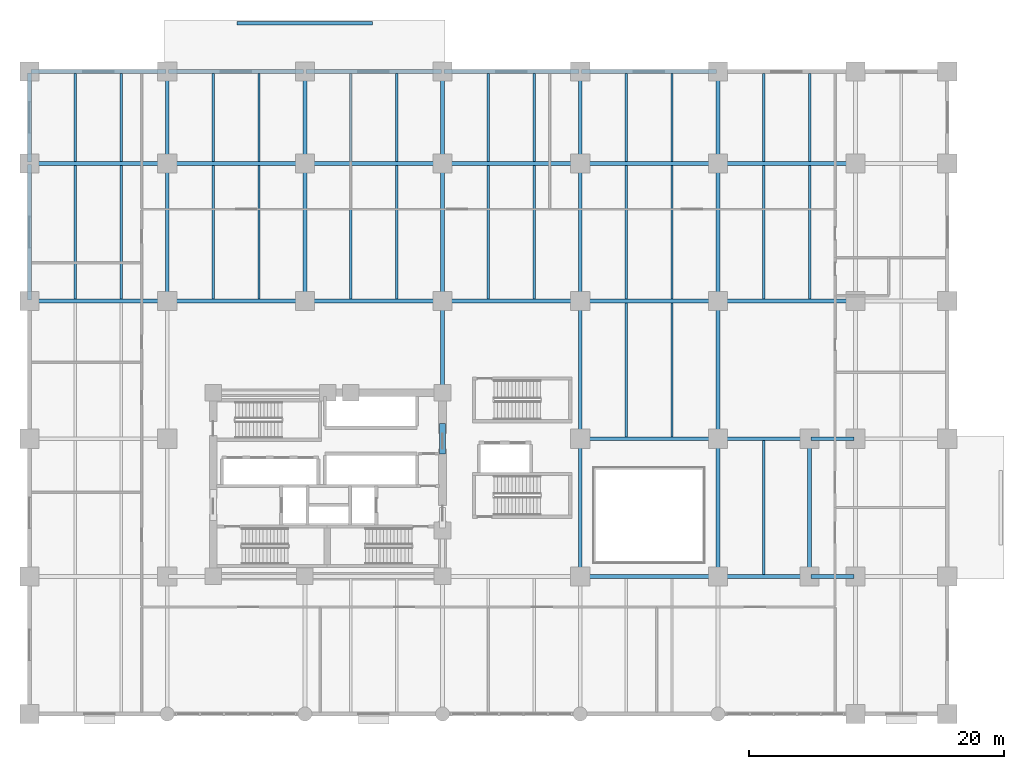
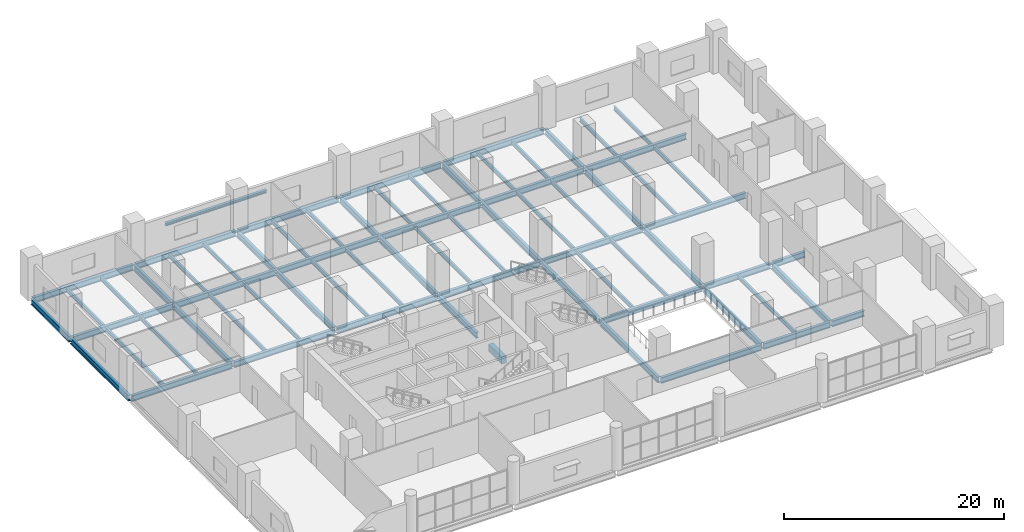
# One storey, part 8 of 16: 70 beams.
"""IFC4 building model written with IfcOpenShell, lengths in metres."""

from ifc_helpers import new_model, si_unit, direction, frame, origin, origin_2d, place, context, subcontext, project, spatial, rectangle, i_section, extrude, material, material_profile, profile_set, type_object, element, save


model = new_model("IFC4")

# Units and contexts
model_context = context("Model", 3, precision=1e-05, world=origin(), true_north=direction((0.0, 1.0)))
body_context = subcontext(model_context, "Body", "Model", "MODEL_VIEW")
ifc_project = project(units=[si_unit("LENGTHUNIT", "METRE"), si_unit("AREAUNIT", "SQUARE_METRE"), si_unit("VOLUMEUNIT", "CUBIC_METRE"), si_unit("PLANEANGLEUNIT", "RADIAN"), si_unit("MASSUNIT", "GRAM", prefix="KILO")], contexts=[model_context])

# Site, building, storey
site_placement = place(None, origin())
site = spatial("IfcSite", under=ifc_project, at=site_placement, CompositionType="ELEMENT")
building_placement = place(site_placement, origin())
building = spatial("IfcBuilding", under=site, at=building_placement, Name="Solnavia Interchange Tower", CompositionType="ELEMENT")
storey_placement = place(building_placement, frame((0.0, 0.0, 5.39990234375)))
storey = spatial("IfcBuildingStorey", under=building, at=storey_placement, Name="L01", CompositionType="ELEMENT", Elevation=5.39990234375)

# Beams
ifc_material_1 = material(Name="Concrete C50/60", Category="concrete")
ifc_material_profile_1 = material_profile(ifc_material_1, rectangle(XDim=0.5, YDim=0.800048828125, at=origin_2d()), Name="RC 500x800")
ifc_profile_set_1 = profile_set([ifc_material_profile_1], Name="Concrete C50/60")
beam_type_1 = type_object("IfcBeamType", Name="Beam-Coupling-RC500x800", PredefinedType="LINTEL", material=ifc_profile_set_1)
beam_1_placement = place(storey_placement, frame((32.39990234375, 20.39990234375, -0.39990234375), z_axis=(0.0, 1.0, 0.0), x_axis=(-1.0, 0.0, 0.0)))
element("IfcBeam", 1, at=beam_1_placement, inside=storey, type_object=beam_type_1, Name="CPB-L01-E2 Core coupling lintel beam", PredefinedType="LINTEL", context=body_context, shape_type="SweptSolid", body=[
    extrude(rectangle(XDim=0.5, YDim=0.800048828125, at=origin_2d()), origin(), (0.0, 0.0, 1.0), 2.400146484375),
])
ifc_material_2 = material(Name="Steel S460", Category="steel")
ifc_material_profile_2 = material_profile(ifc_material_2, i_section(OverallWidth=0.300048828125, OverallDepth=0.64990234375, WebThickness=0.01611328125, FlangeThickness=0.031005859375, FilletRadius=0.027099609375, at=origin_2d()), Name="HEB 650")
ifc_profile_set_2 = profile_set([ifc_material_profile_2], Name="Steel S460")
beam_type_2 = type_object("IfcBeamType", Name="Beam-Girder-HEB650", PredefinedType="BEAM", material=ifc_profile_set_2)
beam_2_placement = place(storey_placement, frame((43.300048828125, 10.800048828125, -0.625), z_axis=(1.0, 0.0, 0.0), x_axis=(0.0, 1.0, 0.0)))
element("IfcBeam", 2, at=beam_2_placement, inside=storey, type_object=beam_type_2, Name="GRD-L01-13 Podium primary girder", PredefinedType="BEAM", context=body_context, shape_type="SweptSolid", body=[
    extrude(i_section(OverallWidth=0.300048828125, OverallDepth=0.64990234375, WebThickness=0.01611328125, FlangeThickness=0.031005859375, FilletRadius=0.027099609375, at=origin_2d()), origin(), (0.0, 0.0, 1.0), 10.599853515625),
])
beam_3_placement = place(storey_placement, frame((54.10009765625, 10.800048828125, -0.625), z_axis=(1.0, 0.0, 0.0), x_axis=(0.0, 1.0, 0.0)))
element("IfcBeam", 3, at=beam_3_placement, inside=storey, type_object=beam_type_2, Name="GRD-L01-14 Podium primary girder", PredefinedType="BEAM", context=body_context, shape_type="SweptSolid", body=[
    extrude(i_section(OverallWidth=0.300048828125, OverallDepth=0.64990234375, WebThickness=0.01611328125, FlangeThickness=0.031005859375, FilletRadius=0.027099609375, at=origin_2d()), origin(), (0.0, 0.0, 1.0), 7.0),
])
beam_4_placement = place(storey_placement, frame((61.300048828125, 10.800048828125, -0.625), z_axis=(1.0, 0.0, 0.0), x_axis=(0.0, 1.0, 0.0)))
element("IfcBeam", 4, at=beam_4_placement, inside=storey, type_object=beam_type_2, Name="GRD-L01-15 Podium primary girder", PredefinedType="BEAM", context=body_context, shape_type="SweptSolid", body=[
    extrude(i_section(OverallWidth=0.300048828125, OverallDepth=0.64990234375, WebThickness=0.01611328125, FlangeThickness=0.031005859375, FilletRadius=0.027099609375, at=origin_2d()), origin(), (0.0, 0.0, 1.0), 3.39990234375),
])
beam_5_placement = place(storey_placement, frame((43.300048828125, 21.60009765625, -0.625), z_axis=(1.0, 0.0, 0.0), x_axis=(0.0, 1.0, 0.0)))
element("IfcBeam", 5, at=beam_5_placement, inside=storey, type_object=beam_type_2, Name="GRD-L01-18 Podium primary girder", PredefinedType="BEAM", context=body_context, shape_type="SweptSolid", body=[
    extrude(i_section(OverallWidth=0.300048828125, OverallDepth=0.64990234375, WebThickness=0.01611328125, FlangeThickness=0.031005859375, FilletRadius=0.027099609375, at=origin_2d()), origin(), (0.0, 0.0, 1.0), 10.599853515625),
])
beam_6_placement = place(storey_placement, frame((54.10009765625, 21.60009765625, -0.625), z_axis=(1.0, 0.0, 0.0), x_axis=(0.0, 1.0, 0.0)))
element("IfcBeam", 6, at=beam_6_placement, inside=storey, type_object=beam_type_2, Name="GRD-L01-19 Podium primary girder", PredefinedType="BEAM", context=body_context, shape_type="SweptSolid", body=[
    extrude(i_section(OverallWidth=0.300048828125, OverallDepth=0.64990234375, WebThickness=0.01611328125, FlangeThickness=0.031005859375, FilletRadius=0.027099609375, at=origin_2d()), origin(), (0.0, 0.0, 1.0), 7.0),
])
beam_7_placement = place(storey_placement, frame((61.300048828125, 21.60009765625, -0.625), z_axis=(1.0, 0.0, 0.0), x_axis=(0.0, 1.0, 0.0)))
element("IfcBeam", 7, at=beam_7_placement, inside=storey, type_object=beam_type_2, Name="GRD-L01-20 Podium primary girder", PredefinedType="BEAM", context=body_context, shape_type="SweptSolid", body=[
    extrude(i_section(OverallWidth=0.300048828125, OverallDepth=0.64990234375, WebThickness=0.01611328125, FlangeThickness=0.031005859375, FilletRadius=0.027099609375, at=origin_2d()), origin(), (0.0, 0.0, 1.0), 3.39990234375),
])
beam_8_placement = place(storey_placement, frame((0.10009765625, 32.39990234375, -0.625), z_axis=(1.0, 0.0, 0.0), x_axis=(0.0, 1.0, 0.0)))
element("IfcBeam", 8, at=beam_8_placement, inside=storey, type_object=beam_type_2, Name="GRD-L01-23 Podium primary girder", PredefinedType="BEAM", context=body_context, shape_type="SweptSolid", body=[
    extrude(i_section(OverallWidth=0.300048828125, OverallDepth=0.64990234375, WebThickness=0.01611328125, FlangeThickness=0.031005859375, FilletRadius=0.027099609375, at=origin_2d()), origin(), (0.0, 0.0, 1.0), 10.599853515625),
])
for number, where, z_axis, x_axis, name in (
    (9, (10.89990234375, 32.39990234375, -0.625), (1.0, 0.0, 0.0), (0.0, 1.0, 0.0), "GRD-L01-24 Podium primary girder"),
    (10, (21.699951171875, 32.39990234375, -0.625), (1.0, 0.0, 0.0), (0.0, 1.0, 0.0), "GRD-L01-25 Podium primary girder"),
    (11, (32.5, 32.39990234375, -0.625), (1.0, 0.0, 0.0), (0.0, 1.0, 0.0), "GRD-L01-26 Podium primary girder"),
):
    element("IfcBeam", number, at=place(storey_placement, frame(where, z_axis=z_axis, x_axis=x_axis)), inside=storey, type_object=beam_type_2, Name=name, PredefinedType="BEAM", context=body_context, shape_type="SweptSolid", body=[
        extrude(i_section(OverallWidth=0.300048828125, OverallDepth=0.64990234375, WebThickness=0.01611328125, FlangeThickness=0.031005859375, FilletRadius=0.027099609375, at=origin_2d()), origin(), (0.0, 0.0, 1.0), 10.60009765625),
    ])
for number, where, z_axis, x_axis, name in (
    (12, (43.300048828125, 32.39990234375, -0.625), (1.0, 0.0, 0.0), (0.0, 1.0, 0.0), "GRD-L01-27 Podium primary girder"),
    (13, (54.10009765625, 32.39990234375, -0.625), (1.0, 0.0, 0.0), (0.0, 1.0, 0.0), "GRD-L01-28 Podium primary girder"),
    (14, (0.10009765625, 43.199951171875, -0.625), (1.0, 0.0, 0.0), (0.0, 1.0, 0.0), "GRD-L01-30 Podium primary girder"),
):
    element("IfcBeam", number, at=place(storey_placement, frame(where, z_axis=z_axis, x_axis=x_axis)), inside=storey, type_object=beam_type_2, Name=name, PredefinedType="BEAM", context=body_context, shape_type="SweptSolid", body=[
        extrude(i_section(OverallWidth=0.300048828125, OverallDepth=0.64990234375, WebThickness=0.01611328125, FlangeThickness=0.031005859375, FilletRadius=0.027099609375, at=origin_2d()), origin(), (0.0, 0.0, 1.0), 10.599853515625),
    ])
for number, where, z_axis, x_axis, name in (
    (15, (10.89990234375, 43.199951171875, -0.625), (1.0, 0.0, 0.0), (0.0, 1.0, 0.0), "GRD-L01-31 Podium primary girder"),
    (16, (21.699951171875, 43.199951171875, -0.625), (1.0, 0.0, 0.0), (0.0, 1.0, 0.0), "GRD-L01-32 Podium primary girder"),
    (17, (32.5, 43.199951171875, -0.625), (1.0, 0.0, 0.0), (0.0, 1.0, 0.0), "GRD-L01-33 Podium primary girder"),
):
    element("IfcBeam", number, at=place(storey_placement, frame(where, z_axis=z_axis, x_axis=x_axis)), inside=storey, type_object=beam_type_2, Name=name, PredefinedType="BEAM", context=body_context, shape_type="SweptSolid", body=[
        extrude(i_section(OverallWidth=0.300048828125, OverallDepth=0.64990234375, WebThickness=0.01611328125, FlangeThickness=0.031005859375, FilletRadius=0.027099609375, at=origin_2d()), origin(), (0.0, 0.0, 1.0), 10.60009765625),
    ])
for number, where, z_axis, x_axis, name in (
    (18, (43.300048828125, 43.199951171875, -0.625), (1.0, 0.0, 0.0), (0.0, 1.0, 0.0), "GRD-L01-34 Podium primary girder"),
    (19, (54.10009765625, 43.199951171875, -0.625), (1.0, 0.0, 0.0), (0.0, 1.0, 0.0), "GRD-L01-35 Podium primary girder"),
    (20, (0.10009765625, 50.39990234375, -0.625), (1.0, 0.0, 0.0), (0.0, 1.0, 0.0), "GRD-L01-37 Podium primary girder"),
):
    element("IfcBeam", number, at=place(storey_placement, frame(where, z_axis=z_axis, x_axis=x_axis)), inside=storey, type_object=beam_type_2, Name=name, PredefinedType="BEAM", context=body_context, shape_type="SweptSolid", body=[
        extrude(i_section(OverallWidth=0.300048828125, OverallDepth=0.64990234375, WebThickness=0.01611328125, FlangeThickness=0.031005859375, FilletRadius=0.027099609375, at=origin_2d()), origin(), (0.0, 0.0, 1.0), 10.599853515625),
    ])
for number, where, z_axis, x_axis, name in (
    (21, (10.89990234375, 50.39990234375, -0.625), (1.0, 0.0, 0.0), (0.0, 1.0, 0.0), "GRD-L01-38 Podium primary girder"),
    (22, (21.699951171875, 50.39990234375, -0.625), (1.0, 0.0, 0.0), (0.0, 1.0, 0.0), "GRD-L01-39 Podium primary girder"),
    (23, (32.5, 50.39990234375, -0.625), (1.0, 0.0, 0.0), (0.0, 1.0, 0.0), "GRD-L01-40 Podium primary girder"),
):
    element("IfcBeam", number, at=place(storey_placement, frame(where, z_axis=z_axis, x_axis=x_axis)), inside=storey, type_object=beam_type_2, Name=name, PredefinedType="BEAM", context=body_context, shape_type="SweptSolid", body=[
        extrude(i_section(OverallWidth=0.300048828125, OverallDepth=0.64990234375, WebThickness=0.01611328125, FlangeThickness=0.031005859375, FilletRadius=0.027099609375, at=origin_2d()), origin(), (0.0, 0.0, 1.0), 10.60009765625),
    ])
beam_9_placement = place(storey_placement, frame((43.300048828125, 50.39990234375, -0.625), z_axis=(1.0, 0.0, 0.0), x_axis=(0.0, 1.0, 0.0)))
element("IfcBeam", 24, at=beam_9_placement, inside=storey, type_object=beam_type_2, Name="GRD-L01-41 Podium primary girder", PredefinedType="BEAM", context=body_context, shape_type="SweptSolid", body=[
    extrude(i_section(OverallWidth=0.300048828125, OverallDepth=0.64990234375, WebThickness=0.01611328125, FlangeThickness=0.031005859375, FilletRadius=0.027099609375, at=origin_2d()), origin(), (0.0, 0.0, 1.0), 10.599853515625),
])
beam_10_placement = place(storey_placement, frame((0.0, 32.5, -0.625), z_axis=(0.0, 1.0, 0.0), x_axis=(-1.0, 0.0, 0.0)))
element("IfcBeam", 25, at=beam_10_placement, inside=storey, type_object=beam_type_2, Name="GRD-L01-47 Podium primary girder", PredefinedType="BEAM", context=body_context, shape_type="SweptSolid", body=[
    extrude(i_section(OverallWidth=0.300048828125, OverallDepth=0.64990234375, WebThickness=0.01611328125, FlangeThickness=0.031005859375, FilletRadius=0.027099609375, at=origin_2d()), origin(), (0.0, 0.0, 1.0), 10.60009765625),
])
beam_11_placement = place(storey_placement, frame((0.0, 43.300048828125, -0.625), z_axis=(0.0, 1.0, 0.0), x_axis=(-1.0, 0.0, 0.0)))
element("IfcBeam", 26, at=beam_11_placement, inside=storey, type_object=beam_type_2, Name="GRD-L01-48 Podium primary girder", PredefinedType="BEAM", context=body_context, shape_type="SweptSolid", body=[
    extrude(i_section(OverallWidth=0.300048828125, OverallDepth=0.64990234375, WebThickness=0.01611328125, FlangeThickness=0.031005859375, FilletRadius=0.027099609375, at=origin_2d()), origin(), (0.0, 0.0, 1.0), 7.0),
])
beam_12_placement = place(storey_placement, frame((10.800048828125, 32.5, -0.625), z_axis=(0.0, 1.0, 0.0), x_axis=(-1.0, 0.0, 0.0)))
element("IfcBeam", 27, at=beam_12_placement, inside=storey, type_object=beam_type_2, Name="GRD-L01-52 Podium primary girder", PredefinedType="BEAM", context=body_context, shape_type="SweptSolid", body=[
    extrude(i_section(OverallWidth=0.300048828125, OverallDepth=0.64990234375, WebThickness=0.01611328125, FlangeThickness=0.031005859375, FilletRadius=0.027099609375, at=origin_2d()), origin(), (0.0, 0.0, 1.0), 10.60009765625),
])
beam_13_placement = place(storey_placement, frame((10.800048828125, 43.300048828125, -0.625), z_axis=(0.0, 1.0, 0.0), x_axis=(-1.0, 0.0, 0.0)))
element("IfcBeam", 28, at=beam_13_placement, inside=storey, type_object=beam_type_2, Name="GRD-L01-53 Podium primary girder", PredefinedType="BEAM", context=body_context, shape_type="SweptSolid", body=[
    extrude(i_section(OverallWidth=0.300048828125, OverallDepth=0.64990234375, WebThickness=0.01611328125, FlangeThickness=0.031005859375, FilletRadius=0.027099609375, at=origin_2d()), origin(), (0.0, 0.0, 1.0), 7.0),
])
beam_14_placement = place(storey_placement, frame((21.60009765625, 32.5, -0.625), z_axis=(0.0, 1.0, 0.0), x_axis=(-1.0, 0.0, 0.0)))
element("IfcBeam", 29, at=beam_14_placement, inside=storey, type_object=beam_type_2, Name="GRD-L01-55 Podium primary girder", PredefinedType="BEAM", context=body_context, shape_type="SweptSolid", body=[
    extrude(i_section(OverallWidth=0.300048828125, OverallDepth=0.64990234375, WebThickness=0.01611328125, FlangeThickness=0.031005859375, FilletRadius=0.027099609375, at=origin_2d()), origin(), (0.0, 0.0, 1.0), 10.60009765625),
])
for number, where, z_axis, x_axis, name in (
    (30, (21.60009765625, 43.300048828125, -0.625), (0.0, 1.0, 0.0), (-1.0, 0.0, 0.0), "GRD-L01-56 Podium primary girder"),
    (31, (32.39990234375, 25.300048828125, -0.625), (0.0, 1.0, 0.0), (-1.0, 0.0, 0.0), "GRD-L01-59 Podium primary girder"),
):
    element("IfcBeam", number, at=place(storey_placement, frame(where, z_axis=z_axis, x_axis=x_axis)), inside=storey, type_object=beam_type_2, Name=name, PredefinedType="BEAM", context=body_context, shape_type="SweptSolid", body=[
        extrude(i_section(OverallWidth=0.300048828125, OverallDepth=0.64990234375, WebThickness=0.01611328125, FlangeThickness=0.031005859375, FilletRadius=0.027099609375, at=origin_2d()), origin(), (0.0, 0.0, 1.0), 7.0),
    ])
beam_15_placement = place(storey_placement, frame((32.39990234375, 32.5, -0.625), z_axis=(0.0, 1.0, 0.0), x_axis=(-1.0, 0.0, 0.0)))
element("IfcBeam", 32, at=beam_15_placement, inside=storey, type_object=beam_type_2, Name="GRD-L01-60 Podium primary girder", PredefinedType="BEAM", context=body_context, shape_type="SweptSolid", body=[
    extrude(i_section(OverallWidth=0.300048828125, OverallDepth=0.64990234375, WebThickness=0.01611328125, FlangeThickness=0.031005859375, FilletRadius=0.027099609375, at=origin_2d()), origin(), (0.0, 0.0, 1.0), 10.60009765625),
])
beam_16_placement = place(storey_placement, frame((32.39990234375, 43.300048828125, -0.625), z_axis=(0.0, 1.0, 0.0), x_axis=(-1.0, 0.0, 0.0)))
element("IfcBeam", 33, at=beam_16_placement, inside=storey, type_object=beam_type_2, Name="GRD-L01-61 Podium primary girder", PredefinedType="BEAM", context=body_context, shape_type="SweptSolid", body=[
    extrude(i_section(OverallWidth=0.300048828125, OverallDepth=0.64990234375, WebThickness=0.01611328125, FlangeThickness=0.031005859375, FilletRadius=0.027099609375, at=origin_2d()), origin(), (0.0, 0.0, 1.0), 7.0),
])
for number, where, z_axis, x_axis, name in (
    (34, (43.199951171875, 10.89990234375, -0.625), (0.0, 1.0, 0.0), (-1.0, 0.0, 0.0), "GRD-L01-63 Podium primary girder"),
    (35, (43.199951171875, 21.699951171875, -0.625), (0.0, 1.0, 0.0), (-1.0, 0.0, 0.0), "GRD-L01-64 Podium primary girder"),
    (36, (43.199951171875, 32.5, -0.625), (0.0, 1.0, 0.0), (-1.0, 0.0, 0.0), "GRD-L01-65 Podium primary girder"),
):
    element("IfcBeam", number, at=place(storey_placement, frame(where, z_axis=z_axis, x_axis=x_axis)), inside=storey, type_object=beam_type_2, Name=name, PredefinedType="BEAM", context=body_context, shape_type="SweptSolid", body=[
        extrude(i_section(OverallWidth=0.300048828125, OverallDepth=0.64990234375, WebThickness=0.01611328125, FlangeThickness=0.031005859375, FilletRadius=0.027099609375, at=origin_2d()), origin(), (0.0, 0.0, 1.0), 10.60009765625),
    ])
beam_17_placement = place(storey_placement, frame((43.199951171875, 43.300048828125, -0.625), z_axis=(0.0, 1.0, 0.0), x_axis=(-1.0, 0.0, 0.0)))
element("IfcBeam", 37, at=beam_17_placement, inside=storey, type_object=beam_type_2, Name="GRD-L01-66 Podium primary girder", PredefinedType="BEAM", context=body_context, shape_type="SweptSolid", body=[
    extrude(i_section(OverallWidth=0.300048828125, OverallDepth=0.64990234375, WebThickness=0.01611328125, FlangeThickness=0.031005859375, FilletRadius=0.027099609375, at=origin_2d()), origin(), (0.0, 0.0, 1.0), 7.0),
])
for number, where, z_axis, x_axis, name in (
    (38, (54.0, 10.89990234375, -0.625), (0.0, 1.0, 0.0), (-1.0, 0.0, 0.0), "GRD-L01-68 Podium primary girder"),
    (39, (54.0, 21.699951171875, -0.625), (0.0, 1.0, 0.0), (-1.0, 0.0, 0.0), "GRD-L01-69 Podium primary girder"),
    (40, (54.0, 32.5, -0.625), (0.0, 1.0, 0.0), (-1.0, 0.0, 0.0), "GRD-L01-70 Podium primary girder"),
):
    element("IfcBeam", number, at=place(storey_placement, frame(where, z_axis=z_axis, x_axis=x_axis)), inside=storey, type_object=beam_type_2, Name=name, PredefinedType="BEAM", context=body_context, shape_type="SweptSolid", body=[
        extrude(i_section(OverallWidth=0.300048828125, OverallDepth=0.64990234375, WebThickness=0.01611328125, FlangeThickness=0.031005859375, FilletRadius=0.027099609375, at=origin_2d()), origin(), (0.0, 0.0, 1.0), 10.60009765625),
    ])
beam_18_placement = place(storey_placement, frame((54.0, 43.300048828125, -0.625), z_axis=(0.0, 1.0, 0.0), x_axis=(-1.0, 0.0, 0.0)))
element("IfcBeam", 41, at=beam_18_placement, inside=storey, type_object=beam_type_2, Name="GRD-L01-71 Podium primary girder", PredefinedType="BEAM", context=body_context, shape_type="SweptSolid", body=[
    extrude(i_section(OverallWidth=0.300048828125, OverallDepth=0.64990234375, WebThickness=0.01611328125, FlangeThickness=0.031005859375, FilletRadius=0.027099609375, at=origin_2d()), origin(), (0.0, 0.0, 1.0), 7.0),
])
beam_19_placement = place(storey_placement, frame((61.199951171875, 10.89990234375, -0.625), z_axis=(0.0, 1.0, 0.0), x_axis=(-1.0, 0.0, 0.0)))
element("IfcBeam", 42, at=beam_19_placement, inside=storey, type_object=beam_type_2, Name="GRD-L01-72 Podium primary girder", PredefinedType="BEAM", context=body_context, shape_type="SweptSolid", body=[
    extrude(i_section(OverallWidth=0.300048828125, OverallDepth=0.64990234375, WebThickness=0.01611328125, FlangeThickness=0.031005859375, FilletRadius=0.027099609375, at=origin_2d()), origin(), (0.0, 0.0, 1.0), 10.60009765625),
])
ifc_material_3 = material(Name="Steel S355", Category="steel")
ifc_material_profile_3 = material_profile(ifc_material_3, i_section(OverallWidth=0.18994140625, OverallDepth=0.449951171875, WebThickness=0.009521484375, FlangeThickness=0.0146484375, FilletRadius=0.02099609375, at=origin_2d()), Name="IPE 450")
ifc_profile_set_3 = profile_set([ifc_material_profile_3], Name="Steel S355")
beam_type_3 = type_object("IfcBeamType", Name="Beam-Joist-IPE450", PredefinedType="JOIST", material=ifc_profile_set_3)
beam_20_placement = place(storey_placement, frame((3.60009765625, 32.550048828125, -0.52490234375), z_axis=(0.0, 1.0, 0.0), x_axis=(-1.0, 0.0, 0.0)))
element("IfcBeam", 43, at=beam_20_placement, inside=storey, type_object=beam_type_3, Name="JST-L01-04 Podium composite floor joist", PredefinedType="JOIST", context=body_context, shape_type="SweptSolid", body=[
    extrude(i_section(OverallWidth=0.18994140625, OverallDepth=0.449951171875, WebThickness=0.009521484375, FlangeThickness=0.0146484375, FilletRadius=0.02099609375, at=origin_2d()), origin(), (0.0, 0.0, 1.0), 10.5),
])
beam_21_placement = place(storey_placement, frame((3.60009765625, 43.35009765625, -0.52490234375), z_axis=(0.0, 1.0, 0.0), x_axis=(-1.0, 0.0, 0.0)))
element("IfcBeam", 44, at=beam_21_placement, inside=storey, type_object=beam_type_3, Name="JST-L01-05 Podium composite floor joist", PredefinedType="JOIST", context=body_context, shape_type="SweptSolid", body=[
    extrude(i_section(OverallWidth=0.18994140625, OverallDepth=0.449951171875, WebThickness=0.009521484375, FlangeThickness=0.0146484375, FilletRadius=0.02099609375, at=origin_2d()), origin(), (0.0, 0.0, 1.0), 6.89990234375),
])
beam_22_placement = place(storey_placement, frame((7.199951171875, 32.550048828125, -0.52490234375), z_axis=(0.0, 1.0, 0.0), x_axis=(-1.0, 0.0, 0.0)))
element("IfcBeam", 45, at=beam_22_placement, inside=storey, type_object=beam_type_3, Name="JST-L01-09 Podium composite floor joist", PredefinedType="JOIST", context=body_context, shape_type="SweptSolid", body=[
    extrude(i_section(OverallWidth=0.18994140625, OverallDepth=0.449951171875, WebThickness=0.009521484375, FlangeThickness=0.0146484375, FilletRadius=0.02099609375, at=origin_2d()), origin(), (0.0, 0.0, 1.0), 10.5),
])
beam_23_placement = place(storey_placement, frame((7.199951171875, 43.35009765625, -0.52490234375), z_axis=(0.0, 1.0, 0.0), x_axis=(-1.0, 0.0, 0.0)))
element("IfcBeam", 46, at=beam_23_placement, inside=storey, type_object=beam_type_3, Name="JST-L01-10 Podium composite floor joist", PredefinedType="JOIST", context=body_context, shape_type="SweptSolid", body=[
    extrude(i_section(OverallWidth=0.18994140625, OverallDepth=0.449951171875, WebThickness=0.009521484375, FlangeThickness=0.0146484375, FilletRadius=0.02099609375, at=origin_2d()), origin(), (0.0, 0.0, 1.0), 6.89990234375),
])
beam_24_placement = place(storey_placement, frame((14.39990234375, 32.550048828125, -0.52490234375), z_axis=(0.0, 1.0, 0.0), x_axis=(-1.0, 0.0, 0.0)))
element("IfcBeam", 47, at=beam_24_placement, inside=storey, type_object=beam_type_3, Name="JST-L01-11 Podium composite floor joist", PredefinedType="JOIST", context=body_context, shape_type="SweptSolid", body=[
    extrude(i_section(OverallWidth=0.18994140625, OverallDepth=0.449951171875, WebThickness=0.009521484375, FlangeThickness=0.0146484375, FilletRadius=0.02099609375, at=origin_2d()), origin(), (0.0, 0.0, 1.0), 10.5),
])
beam_25_placement = place(storey_placement, frame((14.39990234375, 43.35009765625, -0.52490234375), z_axis=(0.0, 1.0, 0.0), x_axis=(-1.0, 0.0, 0.0)))
element("IfcBeam", 48, at=beam_25_placement, inside=storey, type_object=beam_type_3, Name="JST-L01-12 Podium composite floor joist", PredefinedType="JOIST", context=body_context, shape_type="SweptSolid", body=[
    extrude(i_section(OverallWidth=0.18994140625, OverallDepth=0.449951171875, WebThickness=0.009521484375, FlangeThickness=0.0146484375, FilletRadius=0.02099609375, at=origin_2d()), origin(), (0.0, 0.0, 1.0), 6.89990234375),
])
beam_26_placement = place(storey_placement, frame((18.0, 32.550048828125, -0.52490234375), z_axis=(0.0, 1.0, 0.0), x_axis=(-1.0, 0.0, 0.0)))
element("IfcBeam", 49, at=beam_26_placement, inside=storey, type_object=beam_type_3, Name="JST-L01-13 Podium composite floor joist", PredefinedType="JOIST", context=body_context, shape_type="SweptSolid", body=[
    extrude(i_section(OverallWidth=0.18994140625, OverallDepth=0.449951171875, WebThickness=0.009521484375, FlangeThickness=0.0146484375, FilletRadius=0.02099609375, at=origin_2d()), origin(), (0.0, 0.0, 1.0), 10.5),
])
beam_27_placement = place(storey_placement, frame((18.0, 43.35009765625, -0.52490234375), z_axis=(0.0, 1.0, 0.0), x_axis=(-1.0, 0.0, 0.0)))
element("IfcBeam", 50, at=beam_27_placement, inside=storey, type_object=beam_type_3, Name="JST-L01-14 Podium composite floor joist", PredefinedType="JOIST", context=body_context, shape_type="SweptSolid", body=[
    extrude(i_section(OverallWidth=0.18994140625, OverallDepth=0.449951171875, WebThickness=0.009521484375, FlangeThickness=0.0146484375, FilletRadius=0.02099609375, at=origin_2d()), origin(), (0.0, 0.0, 1.0), 6.89990234375),
])
beam_28_placement = place(storey_placement, frame((25.199951171875, 32.550048828125, -0.52490234375), z_axis=(0.0, 1.0, 0.0), x_axis=(-1.0, 0.0, 0.0)))
element("IfcBeam", 51, at=beam_28_placement, inside=storey, type_object=beam_type_3, Name="JST-L01-16 Podium composite floor joist", PredefinedType="JOIST", context=body_context, shape_type="SweptSolid", body=[
    extrude(i_section(OverallWidth=0.18994140625, OverallDepth=0.449951171875, WebThickness=0.009521484375, FlangeThickness=0.0146484375, FilletRadius=0.02099609375, at=origin_2d()), origin(), (0.0, 0.0, 1.0), 10.5),
])
beam_29_placement = place(storey_placement, frame((25.199951171875, 43.35009765625, -0.52490234375), z_axis=(0.0, 1.0, 0.0), x_axis=(-1.0, 0.0, 0.0)))
element("IfcBeam", 52, at=beam_29_placement, inside=storey, type_object=beam_type_3, Name="JST-L01-17 Podium composite floor joist", PredefinedType="JOIST", context=body_context, shape_type="SweptSolid", body=[
    extrude(i_section(OverallWidth=0.18994140625, OverallDepth=0.449951171875, WebThickness=0.009521484375, FlangeThickness=0.0146484375, FilletRadius=0.02099609375, at=origin_2d()), origin(), (0.0, 0.0, 1.0), 6.89990234375),
])
beam_30_placement = place(storey_placement, frame((28.800048828125, 32.550048828125, -0.52490234375), z_axis=(0.0, 1.0, 0.0), x_axis=(-1.0, 0.0, 0.0)))
element("IfcBeam", 53, at=beam_30_placement, inside=storey, type_object=beam_type_3, Name="JST-L01-19 Podium composite floor joist", PredefinedType="JOIST", context=body_context, shape_type="SweptSolid", body=[
    extrude(i_section(OverallWidth=0.18994140625, OverallDepth=0.449951171875, WebThickness=0.009521484375, FlangeThickness=0.0146484375, FilletRadius=0.02099609375, at=origin_2d()), origin(), (0.0, 0.0, 1.0), 10.5),
])
beam_31_placement = place(storey_placement, frame((28.800048828125, 43.35009765625, -0.52490234375), z_axis=(0.0, 1.0, 0.0), x_axis=(-1.0, 0.0, 0.0)))
element("IfcBeam", 54, at=beam_31_placement, inside=storey, type_object=beam_type_3, Name="JST-L01-20 Podium composite floor joist", PredefinedType="JOIST", context=body_context, shape_type="SweptSolid", body=[
    extrude(i_section(OverallWidth=0.18994140625, OverallDepth=0.449951171875, WebThickness=0.009521484375, FlangeThickness=0.0146484375, FilletRadius=0.02099609375, at=origin_2d()), origin(), (0.0, 0.0, 1.0), 6.89990234375),
])
beam_32_placement = place(storey_placement, frame((36.0, 32.550048828125, -0.52490234375), z_axis=(0.0, 1.0, 0.0), x_axis=(-1.0, 0.0, 0.0)))
element("IfcBeam", 55, at=beam_32_placement, inside=storey, type_object=beam_type_3, Name="JST-L01-22 Podium composite floor joist", PredefinedType="JOIST", context=body_context, shape_type="SweptSolid", body=[
    extrude(i_section(OverallWidth=0.18994140625, OverallDepth=0.449951171875, WebThickness=0.009521484375, FlangeThickness=0.0146484375, FilletRadius=0.02099609375, at=origin_2d()), origin(), (0.0, 0.0, 1.0), 10.5),
])
beam_33_placement = place(storey_placement, frame((36.0, 43.35009765625, -0.52490234375), z_axis=(0.0, 1.0, 0.0), x_axis=(-1.0, 0.0, 0.0)))
element("IfcBeam", 56, at=beam_33_placement, inside=storey, type_object=beam_type_3, Name="JST-L01-23 Podium composite floor joist", PredefinedType="JOIST", context=body_context, shape_type="SweptSolid", body=[
    extrude(i_section(OverallWidth=0.18994140625, OverallDepth=0.449951171875, WebThickness=0.009521484375, FlangeThickness=0.0146484375, FilletRadius=0.02099609375, at=origin_2d()), origin(), (0.0, 0.0, 1.0), 6.89990234375),
])
beam_34_placement = place(storey_placement, frame((39.60009765625, 32.550048828125, -0.52490234375), z_axis=(0.0, 1.0, 0.0), x_axis=(-1.0, 0.0, 0.0)))
element("IfcBeam", 57, at=beam_34_placement, inside=storey, type_object=beam_type_3, Name="JST-L01-25 Podium composite floor joist", PredefinedType="JOIST", context=body_context, shape_type="SweptSolid", body=[
    extrude(i_section(OverallWidth=0.18994140625, OverallDepth=0.449951171875, WebThickness=0.009521484375, FlangeThickness=0.0146484375, FilletRadius=0.02099609375, at=origin_2d()), origin(), (0.0, 0.0, 1.0), 10.5),
])
beam_35_placement = place(storey_placement, frame((39.60009765625, 43.35009765625, -0.52490234375), z_axis=(0.0, 1.0, 0.0), x_axis=(-1.0, 0.0, 0.0)))
element("IfcBeam", 58, at=beam_35_placement, inside=storey, type_object=beam_type_3, Name="JST-L01-26 Podium composite floor joist", PredefinedType="JOIST", context=body_context, shape_type="SweptSolid", body=[
    extrude(i_section(OverallWidth=0.18994140625, OverallDepth=0.449951171875, WebThickness=0.009521484375, FlangeThickness=0.0146484375, FilletRadius=0.02099609375, at=origin_2d()), origin(), (0.0, 0.0, 1.0), 6.89990234375),
])
for number, where, z_axis, x_axis, name in (
    (59, (46.800048828125, 21.75, -0.52490234375), (0.0, 1.0, 0.0), (-1.0, 0.0, 0.0), "JST-L01-28 Podium composite floor joist"),
    (60, (46.800048828125, 32.550048828125, -0.52490234375), (0.0, 1.0, 0.0), (-1.0, 0.0, 0.0), "JST-L01-29 Podium composite floor joist"),
):
    element("IfcBeam", number, at=place(storey_placement, frame(where, z_axis=z_axis, x_axis=x_axis)), inside=storey, type_object=beam_type_3, Name=name, PredefinedType="JOIST", context=body_context, shape_type="SweptSolid", body=[
        extrude(i_section(OverallWidth=0.18994140625, OverallDepth=0.449951171875, WebThickness=0.009521484375, FlangeThickness=0.0146484375, FilletRadius=0.02099609375, at=origin_2d()), origin(), (0.0, 0.0, 1.0), 10.5),
    ])
beam_36_placement = place(storey_placement, frame((46.800048828125, 43.35009765625, -0.52490234375), z_axis=(0.0, 1.0, 0.0), x_axis=(-1.0, 0.0, 0.0)))
element("IfcBeam", 61, at=beam_36_placement, inside=storey, type_object=beam_type_3, Name="JST-L01-30 Podium composite floor joist", PredefinedType="JOIST", context=body_context, shape_type="SweptSolid", body=[
    extrude(i_section(OverallWidth=0.18994140625, OverallDepth=0.449951171875, WebThickness=0.009521484375, FlangeThickness=0.0146484375, FilletRadius=0.02099609375, at=origin_2d()), origin(), (0.0, 0.0, 1.0), 6.89990234375),
])
for number, where, z_axis, x_axis, name in (
    (62, (50.39990234375, 21.75, -0.52490234375), (0.0, 1.0, 0.0), (-1.0, 0.0, 0.0), "JST-L01-32 Podium composite floor joist"),
    (63, (50.39990234375, 32.550048828125, -0.52490234375), (0.0, 1.0, 0.0), (-1.0, 0.0, 0.0), "JST-L01-33 Podium composite floor joist"),
):
    element("IfcBeam", number, at=place(storey_placement, frame(where, z_axis=z_axis, x_axis=x_axis)), inside=storey, type_object=beam_type_3, Name=name, PredefinedType="JOIST", context=body_context, shape_type="SweptSolid", body=[
        extrude(i_section(OverallWidth=0.18994140625, OverallDepth=0.449951171875, WebThickness=0.009521484375, FlangeThickness=0.0146484375, FilletRadius=0.02099609375, at=origin_2d()), origin(), (0.0, 0.0, 1.0), 10.5),
    ])
beam_37_placement = place(storey_placement, frame((50.39990234375, 43.35009765625, -0.52490234375), z_axis=(0.0, 1.0, 0.0), x_axis=(-1.0, 0.0, 0.0)))
element("IfcBeam", 64, at=beam_37_placement, inside=storey, type_object=beam_type_3, Name="JST-L01-34 Podium composite floor joist", PredefinedType="JOIST", context=body_context, shape_type="SweptSolid", body=[
    extrude(i_section(OverallWidth=0.18994140625, OverallDepth=0.449951171875, WebThickness=0.009521484375, FlangeThickness=0.0146484375, FilletRadius=0.02099609375, at=origin_2d()), origin(), (0.0, 0.0, 1.0), 6.89990234375),
])
for number, where, z_axis, x_axis, name in (
    (65, (57.60009765625, 10.949951171875, -0.52490234375), (0.0, 1.0, 0.0), (-1.0, 0.0, 0.0), "JST-L01-35 Podium composite floor joist"),
    (66, (57.60009765625, 32.550048828125, -0.52490234375), (0.0, 1.0, 0.0), (-1.0, 0.0, 0.0), "JST-L01-36 Podium composite floor joist"),
):
    element("IfcBeam", number, at=place(storey_placement, frame(where, z_axis=z_axis, x_axis=x_axis)), inside=storey, type_object=beam_type_3, Name=name, PredefinedType="JOIST", context=body_context, shape_type="SweptSolid", body=[
        extrude(i_section(OverallWidth=0.18994140625, OverallDepth=0.449951171875, WebThickness=0.009521484375, FlangeThickness=0.0146484375, FilletRadius=0.02099609375, at=origin_2d()), origin(), (0.0, 0.0, 1.0), 10.5),
    ])
beam_38_placement = place(storey_placement, frame((57.60009765625, 43.35009765625, -0.52490234375), z_axis=(0.0, 1.0, 0.0), x_axis=(-1.0, 0.0, 0.0)))
element("IfcBeam", 67, at=beam_38_placement, inside=storey, type_object=beam_type_3, Name="JST-L01-37 Podium composite floor joist", PredefinedType="JOIST", context=body_context, shape_type="SweptSolid", body=[
    extrude(i_section(OverallWidth=0.18994140625, OverallDepth=0.449951171875, WebThickness=0.009521484375, FlangeThickness=0.0146484375, FilletRadius=0.02099609375, at=origin_2d()), origin(), (0.0, 0.0, 1.0), 6.89990234375),
])
beam_39_placement = place(storey_placement, frame((61.199951171875, 32.550048828125, -0.52490234375), z_axis=(0.0, 1.0, 0.0), x_axis=(-1.0, 0.0, 0.0)))
element("IfcBeam", 68, at=beam_39_placement, inside=storey, type_object=beam_type_3, Name="JST-L01-38 Podium composite floor joist", PredefinedType="JOIST", context=body_context, shape_type="SweptSolid", body=[
    extrude(i_section(OverallWidth=0.18994140625, OverallDepth=0.449951171875, WebThickness=0.009521484375, FlangeThickness=0.0146484375, FilletRadius=0.02099609375, at=origin_2d()), origin(), (0.0, 0.0, 1.0), 10.5),
])
beam_40_placement = place(storey_placement, frame((61.199951171875, 43.35009765625, -0.52490234375), z_axis=(0.0, 1.0, 0.0), x_axis=(-1.0, 0.0, 0.0)))
element("IfcBeam", 69, at=beam_40_placement, inside=storey, type_object=beam_type_3, Name="JST-L01-39 Podium composite floor joist", PredefinedType="JOIST", context=body_context, shape_type="SweptSolid", body=[
    extrude(i_section(OverallWidth=0.18994140625, OverallDepth=0.449951171875, WebThickness=0.009521484375, FlangeThickness=0.0146484375, FilletRadius=0.02099609375, at=origin_2d()), origin(), (0.0, 0.0, 1.0), 6.89990234375),
])
ifc_material_profile_4 = material_profile(ifc_material_3, i_section(OverallWidth=0.300048828125, OverallDepth=0.31005859375, WebThickness=0.009033203125, FlangeThickness=0.015380859375, FilletRadius=0.027099609375, at=origin_2d()), Name="HEA 320")
ifc_profile_set_4 = profile_set([ifc_material_profile_4], Name="Steel S355")
beam_type_4 = type_object("IfcBeamType", Name="Beam-Primary-HEA320", PredefinedType="BEAM", material=ifc_profile_set_4)
beam_41_placement = place(storey_placement, frame((16.280029296875, 54.199951171875, -0.15478515625), z_axis=(1.0, 0.0, 0.0), x_axis=(0.0, 1.0, 0.0)))
element("IfcBeam", 70, at=beam_41_placement, inside=storey, type_object=beam_type_4, Name="GRD-L01-CANN0 North canopy edge beam", PredefinedType="BEAM", context=body_context, shape_type="SweptSolid", body=[
    extrude(i_section(OverallWidth=0.300048828125, OverallDepth=0.31005859375, WebThickness=0.009033203125, FlangeThickness=0.015380859375, FilletRadius=0.027099609375, at=origin_2d()), origin(), (0.0, 0.0, 1.0), 10.639892578125),
])

save(model, "model.ifc")
